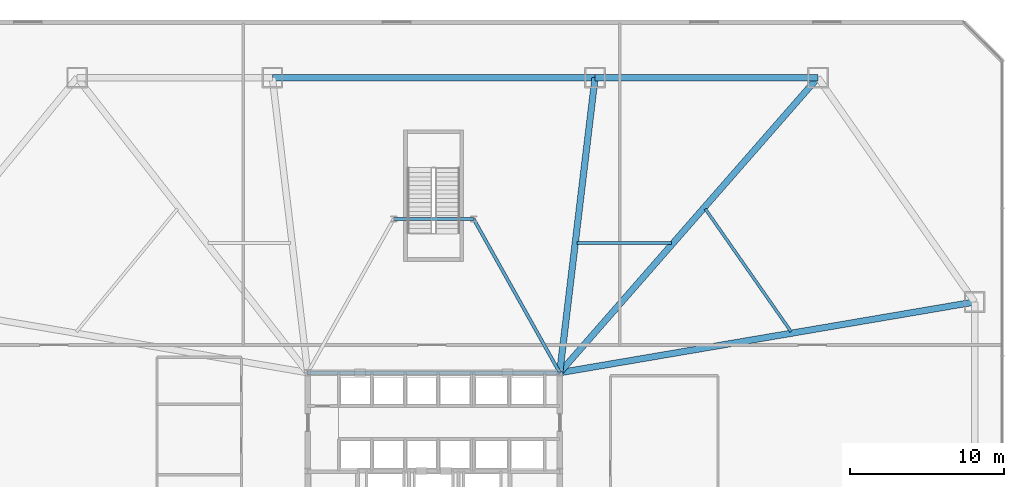
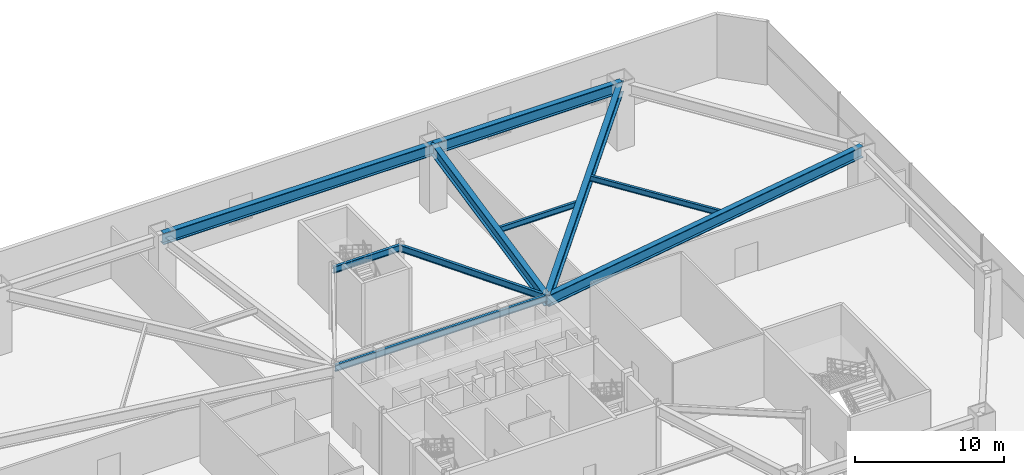
# One storey, part 8 of 20: 10 beams.
"""IFC4 building model written with IfcOpenShell, lengths in metres."""

from ifc_helpers import new_model, si_unit, direction, frame, origin, origin_2d, place, context, subcontext, project, spatial, i_section, extrude, material, material_profile, profile_set, type_object, element, save


model = new_model("IFC4")

# Units and contexts
model_context = context("Model", 3, precision=1e-05, world=origin(), true_north=direction((0.0, 1.0)))
body_context = subcontext(model_context, "Body", "Model", "MODEL_VIEW")
ifc_project = project(units=[si_unit("LENGTHUNIT", "METRE"), si_unit("AREAUNIT", "SQUARE_METRE"), si_unit("VOLUMEUNIT", "CUBIC_METRE"), si_unit("PLANEANGLEUNIT", "RADIAN"), si_unit("MASSUNIT", "GRAM", prefix="KILO")], contexts=[model_context])

# Site, building, storey
site_placement = place(None, origin())
site = spatial("IfcSite", under=ifc_project, at=site_placement, CompositionType="ELEMENT")
building_placement = place(site_placement, origin())
building = spatial("IfcBuilding", under=site, at=building_placement, Name="Varakhsha Concourse Tower", CompositionType="ELEMENT")
storey_placement = place(building_placement, frame((0.0, 0.0, 11.0)))
storey = spatial("IfcBuildingStorey", under=building, at=storey_placement, Name="L03", CompositionType="ELEMENT", Elevation=11.0)

# Beams
ifc_material = material(Name="Structural Steel ASTM A992 Grade 50", Category="steel")
ifc_material_profile_1 = material_profile(ifc_material, i_section(OverallWidth=0.41796875, OverallDepth=0.927001953125, WebThickness=0.030029296875, FlangeThickness=0.051025390625, at=origin_2d()), Name="W36X231")
ifc_profile_set_1 = profile_set([ifc_material_profile_1], Name="Structural Steel ASTM A992 Grade 50")
beam_type_1 = type_object("IfcBeamType", Name="BM-HALL-W36X231", PredefinedType="USERDEFINED", material=ifc_profile_set_1)
beam_1_placement = place(storey_placement, frame((65.0, 50.39990234375, 4.716552734375), z_axis=(-1.0, 0.0, 0.0), x_axis=(0.0, -1.0, 0.0)))
element("IfcBeam", 1, at=beam_1_placement, inside=storey, type_object=beam_type_1, Name="BM-PRING-L03-07", ObjectType="GIRDER", PredefinedType="USERDEFINED", context=body_context, shape_type="SweptSolid", body=[
    extrude(i_section(OverallWidth=0.41796875, OverallDepth=0.927001953125, WebThickness=0.030029296875, FlangeThickness=0.051025390625, at=origin_2d()), origin(), (0.0, 0.0, 1.0), 14.5),
])
beam_2_placement = place(storey_placement, frame((50.5, 50.39990234375, 4.716552734375), z_axis=(-1.0, 0.0, 0.0), x_axis=(0.0, -1.0, 0.0)))
element("IfcBeam", 2, at=beam_2_placement, inside=storey, type_object=beam_type_1, Name="BM-PRING-L03-08", ObjectType="GIRDER", PredefinedType="USERDEFINED", context=body_context, shape_type="SweptSolid", body=[
    extrude(i_section(OverallWidth=0.41796875, OverallDepth=0.927001953125, WebThickness=0.030029296875, FlangeThickness=0.051025390625, at=origin_2d()), origin(), (0.0, 0.0, 1.0), 21.0),
])
beam_3_placement = place(storey_placement, frame((48.199951171875, 31.199951171875, 4.716552734375), z_axis=(0.985794867271, 0.167953802166, 0.0), x_axis=(-0.167953802166, 0.985794867271, 0.0)))
element("IfcBeam", 3, at=beam_3_placement, inside=storey, type_object=beam_type_1, Name="BM-PRAD-L03-06", ObjectType="GIRDER", PredefinedType="USERDEFINED", context=body_context, shape_type="SweptSolid", body=[
    extrude(i_section(OverallWidth=0.41796875, OverallDepth=0.927001953125, WebThickness=0.030029296875, FlangeThickness=0.051025390625, at=origin_2d()), origin(), (0.0, 0.0, 1.0), 27.38916015625),
])
beam_4_placement = place(storey_placement, frame((48.199951171875, 31.199951171875, 4.716552734375), z_axis=(0.658506640328, 0.7525749163, 0.0), x_axis=(-0.7525749163, 0.658506640328, 0.0)))
element("IfcBeam", 4, at=beam_4_placement, inside=storey, type_object=beam_type_1, Name="BM-PRAD-L03-07", ObjectType="GIRDER", PredefinedType="USERDEFINED", context=body_context, shape_type="SweptSolid", body=[
    extrude(i_section(OverallWidth=0.41796875, OverallDepth=0.927001953125, WebThickness=0.030029296875, FlangeThickness=0.051025390625, at=origin_2d()), origin(), (0.0, 0.0, 1.0), 25.512451171875),
])
beam_5_placement = place(storey_placement, frame((48.199951171875, 31.199951171875, 4.716552734375), z_axis=(0.118944087656, 0.992900953777, 0.0), x_axis=(-0.992900953777, 0.118944087656, 0.0)))
element("IfcBeam", 5, at=beam_5_placement, inside=storey, type_object=beam_type_1, Name="BM-PRAD-L03-08", ObjectType="GIRDER", PredefinedType="USERDEFINED", context=body_context, shape_type="SweptSolid", body=[
    extrude(i_section(OverallWidth=0.41796875, OverallDepth=0.927001953125, WebThickness=0.030029296875, FlangeThickness=0.051025390625, at=origin_2d()), origin(), (0.0, 0.0, 1.0), 19.337158203125),
])
ifc_material_profile_2 = material_profile(ifc_material, i_section(OverallWidth=0.19091796875, OverallDepth=0.45703125, WebThickness=0.009033203125, FlangeThickness=0.013916015625, at=origin_2d()), Name="W18X50")
ifc_profile_set_2 = profile_set([ifc_material_profile_2], Name="Structural Steel ASTM A992 Grade 50")
beam_type_2 = type_object("IfcBeamType", Name="BM-JST-W18X50", PredefinedType="JOIST", material=ifc_profile_set_2)
beam_6_placement = place(storey_placement, frame((63.251220703125, 33.87451171875, 4.951416015625), z_axis=(-0.572714673091, 0.819754782375, 0.0), x_axis=(-0.819754782375, -0.572714673091, 0.0)))
element("IfcBeam", 6, at=beam_6_placement, inside=storey, type_object=beam_type_2, Name="BM-PJST-L03-06", PredefinedType="JOIST", context=body_context, shape_type="SweptSolid", body=[
    extrude(i_section(OverallWidth=0.19091796875, OverallDepth=0.45703125, WebThickness=0.009033203125, FlangeThickness=0.013916015625, at=origin_2d()), origin(), (0.0, 0.0, 1.0), 9.7333984375),
])
beam_7_placement = place(storey_placement, frame((55.471923828125, 39.64794921875, 4.951416015625), z_axis=(-1.0, 0.0, 0.0), x_axis=(0.0, -1.0, 0.0)))
element("IfcBeam", 7, at=beam_7_placement, inside=storey, type_object=beam_type_2, Name="BM-PJST-L03-07", PredefinedType="JOIST", context=body_context, shape_type="SweptSolid", body=[
    extrude(i_section(OverallWidth=0.19091796875, OverallDepth=0.45703125, WebThickness=0.009033203125, FlangeThickness=0.013916015625, at=origin_2d()), origin(), (0.0, 0.0, 1.0), 6.139892578125),
])
ifc_material_profile_3 = material_profile(ifc_material, i_section(OverallWidth=0.2109375, OverallDepth=0.5390625, WebThickness=0.011962890625, FlangeThickness=0.01904296875, at=origin_2d()), Name="W21X73")
ifc_profile_set_3 = profile_set([ifc_material_profile_3], Name="Structural Steel ASTM A992 Grade 50")
beam_type_3 = type_object("IfcBeamType", Name="BM-RAD-W21X73", PredefinedType="BEAM", material=ifc_profile_set_3)
beam_8_placement = place(storey_placement, frame((31.800048828125, 31.199951171875, 4.910400390625), z_axis=(1.0, 0.0, 0.0), x_axis=(0.0, 1.0, 0.0)))
element("IfcBeam", 8, at=beam_8_placement, inside=storey, type_object=beam_type_3, Name="BM-CORE-L03-CN", PredefinedType="BEAM", context=body_context, shape_type="SweptSolid", body=[
    extrude(i_section(OverallWidth=0.2109375, OverallDepth=0.5390625, WebThickness=0.011962890625, FlangeThickness=0.01904296875, at=origin_2d()), origin(), (0.0, 0.0, 1.0), 16.39990234375),
])
beam_9_placement = place(storey_placement, frame((48.199951171875, 31.199951171875, 4.910400390625), z_axis=(-0.488593639205, 0.872511464526, 0.0), x_axis=(-0.872511464526, -0.488593639205, 0.0)))
element("IfcBeam", 9, at=beam_9_placement, inside=storey, type_object=beam_type_3, Name="BM-CORE-L03-NSE", PredefinedType="BEAM", context=body_context, shape_type="SweptSolid", body=[
    extrude(i_section(OverallWidth=0.2109375, OverallDepth=0.5390625, WebThickness=0.011962890625, FlangeThickness=0.01904296875, at=origin_2d()), origin(), (0.0, 0.0, 1.0), 11.461181640625),
])
beam_10_placement = place(storey_placement, frame((37.39990234375, 41.199951171875, 4.910400390625), z_axis=(1.0, 0.0, 0.0), x_axis=(0.0, 1.0, 0.0)))
element("IfcBeam", 10, at=beam_10_placement, inside=storey, type_object=beam_type_3, Name="BM-CORE-L03-NSB", PredefinedType="BEAM", context=body_context, shape_type="SweptSolid", body=[
    extrude(i_section(OverallWidth=0.2109375, OverallDepth=0.5390625, WebThickness=0.011962890625, FlangeThickness=0.01904296875, at=origin_2d()), origin(), (0.0, 0.0, 1.0), 5.2001953125),
])

save(model, "model.ifc")
